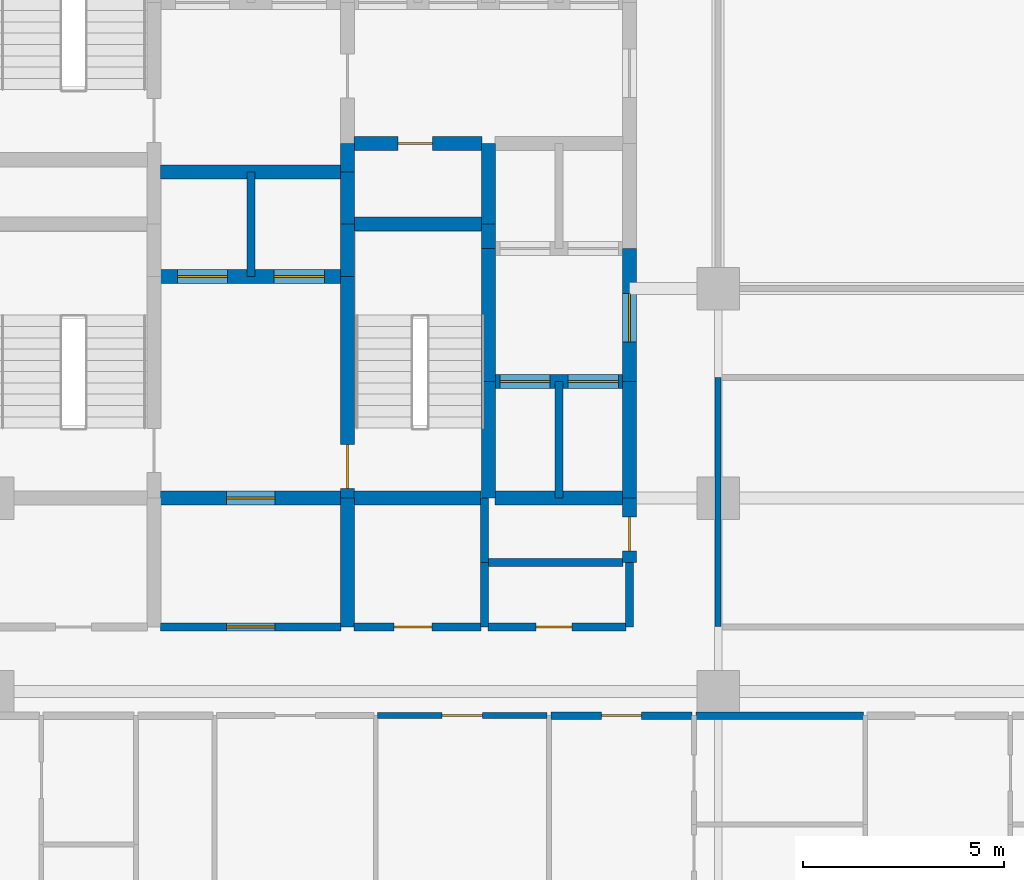
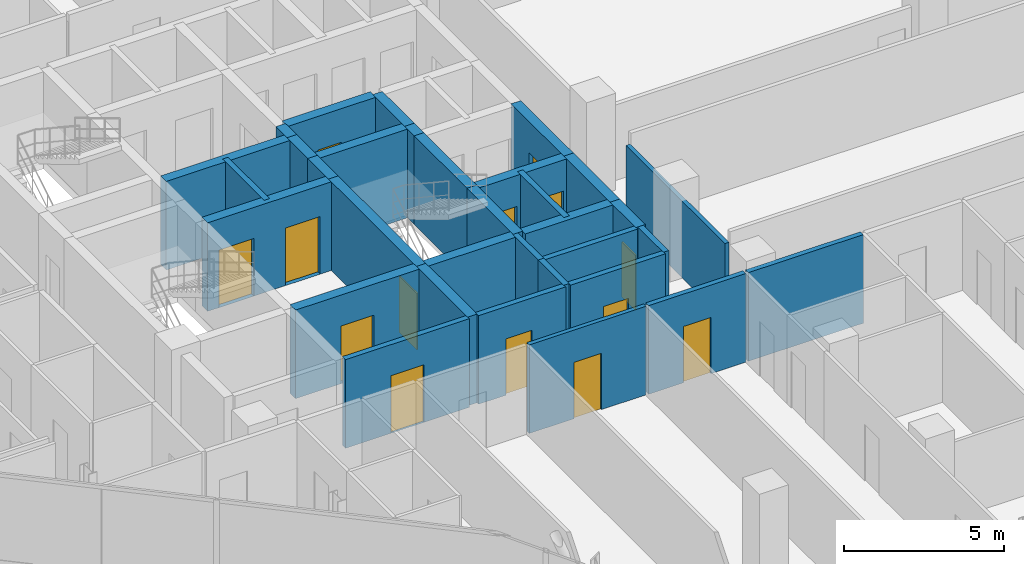
# One storey, part 25 of 30: 33 walls, 14 doors, 14 openings.
"""IFC4 building model written with IfcOpenShell, lengths in metres."""

from ifc_helpers import new_model, si_unit, direction, frame, frame_2d, origin, place, context, subcontext, project, spatial, rectangle, extrude, material, layer, layer_set, type_object, element, fill, save


model = new_model("IFC4")

# Units and contexts
model_context = context("Model", 3, precision=1e-05, world=origin(), true_north=direction((0.0, 1.0)))
body_context = subcontext(model_context, "Body", "Model", "MODEL_VIEW")
ifc_project = project(units=[si_unit("LENGTHUNIT", "METRE"), si_unit("AREAUNIT", "SQUARE_METRE"), si_unit("VOLUMEUNIT", "CUBIC_METRE"), si_unit("PLANEANGLEUNIT", "RADIAN"), si_unit("MASSUNIT", "GRAM", prefix="KILO")], contexts=[model_context])

# Site, building, storey
site_placement = place(None, origin())
site = spatial("IfcSite", under=ifc_project, at=site_placement, CompositionType="ELEMENT")
building_placement = place(site_placement, origin())
building = spatial("IfcBuilding", under=site, at=building_placement, Name="Keshet Zoharim Tower", CompositionType="ELEMENT")
storey_placement = place(building_placement, frame((0.0, 0.0, 113.10009765625)))
storey = spatial("IfcBuildingStorey", under=building, at=storey_placement, Name="L27", CompositionType="ELEMENT", Elevation=113.10009765625)

# Wall
ifc_material_1 = material(Name="Gypsum Plasterboard", Category="gypsum")
ifc_layer_1 = layer(ifc_material_1, 0.14990234375)
ifc_layer_set_1 = layer_set([ifc_layer_1], Name="Gypsum Plasterboard")
wall_type_1 = type_object("IfcWallType", Name="WL-CLIN-150", PredefinedType="STANDARD", material=ifc_layer_set_1)
wall_1_placement = place(storey_placement, frame((33.0, 19.510009765625, 0.0), z_axis=(0.0, 0.0, 1.0), x_axis=(0.0, 1.0, 0.0)))
element("IfcWall", 1, at=wall_1_placement, inside=storey, type_object=wall_type_1, Name="L27 Interior Wall 077", PredefinedType="STANDARD", context=body_context, shape_type="SweptSolid", body=[
    extrude(rectangle(XDim=6.179931640625, YDim=0.14990234375, at=frame_2d((3.08984375, 0.0))), origin(), (0.0, 0.0, 1.0), 2.934814453125),
])

# Wall, opening, door
wall_2_placement = place(storey_placement, frame((24.544921875, 17.300048828125, 0.0), z_axis=(0.0, 0.0, 1.0), x_axis=(1.0, 0.0, 0.0)))
wall_2 = element("IfcWall", 2, at=wall_2_placement, inside=storey, type_object=wall_type_1, Name="L27 Interior Wall 133", PredefinedType="STANDARD", context=body_context, shape_type="SweptSolid", body=[
    extrude(rectangle(XDim=4.2099609375, YDim=0.14990234375, at=frame_2d((2.10498046875, 0.0))), origin(), (0.0, 0.0, 1.0), 3.385009765625),
])
opening_1_placement = place(wall_2_placement, frame((1.60498046875, 0.0, 0.0)))
opening_1 = element("IfcOpeningElement", 3, at=opening_1_placement, cuts=wall_2, Name="Opening D-F310", PredefinedType="OPENING", context=body_context, shape_type="SweptSolid", body=[
    extrude(rectangle(XDim=1.0, YDim=2.14990234375, at=frame_2d((0.5, 1.074951171875))), frame((0.0, 0.0849609375, 0.0), z_axis=(0.0, -1.0, 0.0), x_axis=(1.0, 0.0, 0.0)), (0.0, 0.0, 1.0), 0.169921875),
])
ifc_material_2 = material(Name="Hardwood Timber", Category="wood")
door_type_1 = type_object("IfcDoorType", Name="DR-FD30-100", OperationType="NOTDEFINED", PredefinedType="DOOR", material=ifc_material_2)
door_1_placement = place(opening_1_placement, origin())
door_1 = element("IfcDoor", 4, at=door_1_placement, inside=storey, type_object=door_type_1, Name="L27 Residents Meeting Room Door", OperationType="SINGLE_SWING_RIGHT", OverallHeight=2.14990234375, OverallWidth=1.0, PredefinedType="DOOR", context=body_context, shape_type="SweptSolid", body=[
    extrude(rectangle(XDim=1.0, YDim=2.14990234375, at=frame_2d((0.5, 1.074951171875))), frame((0.0, 0.02490234375, 0.0), z_axis=(0.0, -1.0, 0.0), x_axis=(1.0, 0.0, 0.0)), (0.0, 0.0, 1.0), 0.050048828125),
])
fill(opening_1, door_1)

# Wall
ifc_material_3 = material(Name="Concrete C60/75", Category="concrete")
ifc_layer_2 = layer(ifc_material_3, 0.35009765625)
ifc_layer_set_2 = layer_set([ifc_layer_2], Name="Concrete C60/75")
wall_type_2 = type_object("IfcWallType", Name="WL-CORE-350", PredefinedType="SHEAR", material=ifc_layer_set_2)
wall_3_placement = place(storey_placement, frame((23.800048828125, 19.5, 0.0), z_axis=(0.0, 0.0, 1.0), x_axis=(0.0, 1.0, 0.0)))
element("IfcWall", 5, at=wall_3_placement, inside=storey, type_object=wall_type_2, Name="L27 Core Shear Wall 040", PredefinedType="SHEAR", context=body_context, shape_type="SweptSolid", body=[
    extrude(rectangle(XDim=3.199951171875, YDim=0.35009765625, at=frame_2d((1.60009765625, 0.0))), origin(), (0.0, 0.0, 1.0), 3.385009765625),
])

# Wall, opening, door
wall_4_placement = place(storey_placement, frame((23.800048828125, 22.699951171875, 0.0), z_axis=(0.0, 0.0, 1.0), x_axis=(0.0, 1.0, 0.0)))
wall_4 = element("IfcWall", 6, at=wall_4_placement, inside=storey, type_object=wall_type_2, Name="L27 Core Shear Wall 041", PredefinedType="SHEAR", context=body_context, shape_type="SweptSolid", body=[
    extrude(rectangle(XDim=5.5, YDim=0.35009765625, at=frame_2d((2.75, 0.0))), origin(), (0.0, 0.0, 1.0), 3.385009765625),
])
opening_2_placement = place(wall_4_placement, frame((0.235107421875, 0.0, 0.0)))
opening_2 = element("IfcOpeningElement", 7, at=opening_2_placement, cuts=wall_4, Name="Opening D-F611", PredefinedType="OPENING", context=body_context, shape_type="SweptSolid", body=[
    extrude(rectangle(XDim=1.10009765625, YDim=2.14990234375, at=frame_2d((0.550048828125, 1.074951171875))), frame((0.0, 0.18505859375, 0.0), z_axis=(0.0, -1.0, 0.0), x_axis=(1.0, 0.0, 0.0)), (0.0, 0.0, 1.0), 0.3701171875),
])
door_type_2 = type_object("IfcDoorType", Name="DR-FD60-110", OperationType="NOTDEFINED", PredefinedType="DOOR", material=ifc_material_2)
door_2_placement = place(opening_2_placement, frame((1.10009765625, 0.0, 0.0), z_axis=(0.0, 0.0, 1.0), x_axis=(-1.0, 0.0, 0.0)))
door_2 = element("IfcDoor", 8, at=door_2_placement, inside=storey, type_object=door_type_2, Name="L27 Exit Stair ST-03 Fire Door", OperationType="SINGLE_SWING_LEFT", OverallHeight=2.14990234375, OverallWidth=1.10009765625, PredefinedType="DOOR", context=body_context, shape_type="SweptSolid", body=[
    extrude(rectangle(XDim=1.10009765625, YDim=2.14990234375, at=frame_2d((0.550048828125, 1.074951171875))), frame((0.0, 0.02490234375, 0.0), z_axis=(0.0, -1.0, 0.0), x_axis=(1.0, 0.0, 0.0)), (0.0, 0.0, 1.0), 0.050048828125),
])
fill(opening_2, door_2)

# Walls
for number, where, z_axis, x_axis, name in (
    (9, (23.800048828125, 28.199951171875, 0.0), (0.0, 0.0, 1.0), (0.0, 1.0, 0.0), "L27 Core Shear Wall 042"),
    (10, (23.800048828125, 29.5, 0.0), (0.0, 0.0, 1.0), (0.0, 1.0, 0.0), "L27 Core Shear Wall 043"),
):
    element("IfcWall", number, at=place(storey_placement, frame(where, z_axis=z_axis, x_axis=x_axis)), inside=storey, type_object=wall_type_2, Name=name, PredefinedType="SHEAR", context=body_context, shape_type="SweptSolid", body=[
        extrude(rectangle(XDim=1.300048828125, YDim=0.35009765625, at=frame_2d((0.64990234375, 0.0))), origin(), (0.0, 0.0, 1.0), 3.385009765625),
    ])
wall_5_placement = place(storey_placement, frame((23.800048828125, 30.800048828125, 0.0), z_axis=(0.0, 0.0, 1.0), x_axis=(0.0, 1.0, 0.0)))
element("IfcWall", 11, at=wall_5_placement, inside=storey, type_object=wall_type_2, Name="L27 Core Shear Wall 044", PredefinedType="SHEAR", context=body_context, shape_type="SweptSolid", body=[
    extrude(rectangle(XDim=0.699951171875, YDim=0.35009765625, at=frame_2d((0.35009765625, 0.0))), origin(), (0.0, 0.0, 1.0), 3.385009765625),
])
wall_6_placement = place(storey_placement, frame((27.300048828125, 22.699951171875, 0.0), z_axis=(0.0, 0.0, 1.0), x_axis=(0.0, 1.0, 0.0)))
element("IfcWall", 12, at=wall_6_placement, inside=storey, type_object=wall_type_2, Name="L27 Core Shear Wall 054", PredefinedType="SHEAR", context=body_context, shape_type="SweptSolid", body=[
    extrude(rectangle(XDim=2.900146484375, YDim=0.35009765625, at=frame_2d((1.4501953125, 0.0))), origin(), (0.0, 0.0, 1.0), 3.385009765625),
])
wall_7_placement = place(storey_placement, frame((27.300048828125, 25.60009765625, 0.0), z_axis=(0.0, 0.0, 1.0), x_axis=(0.0, 1.0, 0.0)))
element("IfcWall", 13, at=wall_7_placement, inside=storey, type_object=wall_type_2, Name="L27 Core Shear Wall 055", PredefinedType="SHEAR", context=body_context, shape_type="SweptSolid", body=[
    extrude(rectangle(XDim=3.2998046875, YDim=0.35009765625, at=frame_2d((1.64990234375, 0.0))), origin(), (0.0, 0.0, 1.0), 3.385009765625),
])
wall_8_placement = place(storey_placement, frame((27.300048828125, 28.89990234375, 0.0), z_axis=(0.0, 0.0, 1.0), x_axis=(0.0, 1.0, 0.0)))
element("IfcWall", 14, at=wall_8_placement, inside=storey, type_object=wall_type_2, Name="L27 Core Shear Wall 056", PredefinedType="SHEAR", context=body_context, shape_type="SweptSolid", body=[
    extrude(rectangle(XDim=0.60009765625, YDim=0.35009765625, at=frame_2d((0.300048828125, 0.0))), origin(), (0.0, 0.0, 1.0), 3.385009765625),
])
wall_9_placement = place(storey_placement, frame((27.300048828125, 29.5, 0.0), z_axis=(0.0, 0.0, 1.0), x_axis=(0.0, 1.0, 0.0)))
element("IfcWall", 15, at=wall_9_placement, inside=storey, type_object=wall_type_2, Name="L27 Core Shear Wall 057", PredefinedType="SHEAR", context=body_context, shape_type="SweptSolid", body=[
    extrude(rectangle(XDim=2.0, YDim=0.35009765625, at=frame_2d((1.0, 0.0))), origin(), (0.0, 0.0, 1.0), 3.385009765625),
])

# Wall, opening, door
wall_10_placement = place(storey_placement, frame((30.800048828125, 21.10009765625, 0.0), z_axis=(0.0, 0.0, 1.0), x_axis=(0.0, 1.0, 0.0)))
wall_10 = element("IfcWall", 16, at=wall_10_placement, inside=storey, type_object=wall_type_2, Name="L27 Core Shear Wall 065", PredefinedType="SHEAR", context=body_context, shape_type="SweptSolid", body=[
    extrude(rectangle(XDim=1.599853515625, YDim=0.35009765625, at=frame_2d((0.7998046875, 0.0))), origin(), (0.0, 0.0, 1.0), 3.385009765625),
])
opening_3_placement = place(wall_10_placement, frame((0.287109375, 0.0, 0.0)))
opening_3 = element("IfcOpeningElement", 17, at=opening_3_placement, cuts=wall_10, Name="Opening D-RS85", PredefinedType="OPENING", context=body_context, shape_type="SweptSolid", body=[
    extrude(rectangle(XDim=0.85009765625, YDim=2.10009765625, at=frame_2d((0.425048828125, 1.050048828125))), frame((0.0, 0.18505859375, 0.0), z_axis=(0.0, -1.0, 0.0), x_axis=(1.0, 0.0, 0.0)), (0.0, 0.0, 1.0), 0.3701171875),
])
door_type_3 = type_object("IfcDoorType", Name="DR-RIS-085", OperationType="NOTDEFINED", PredefinedType="DOOR", material=ifc_material_2)
door_3_placement = place(opening_3_placement, origin())
door_3 = element("IfcDoor", 18, at=door_3_placement, inside=storey, type_object=door_type_3, Name="L27 Linen Store Door", OperationType="SINGLE_SWING_LEFT", OverallHeight=2.10009765625, OverallWidth=0.85009765625, PredefinedType="DOOR", context=body_context, shape_type="SweptSolid", body=[
    extrude(rectangle(XDim=0.85009765625, YDim=2.10009765625, at=frame_2d((0.425048828125, 1.050048828125))), frame((0.0, 0.02490234375, 0.0), z_axis=(0.0, -1.0, 0.0), x_axis=(1.0, 0.0, 0.0)), (0.0, 0.0, 1.0), 0.050048828125),
])
fill(opening_3, door_3)

# Wall
wall_11_placement = place(storey_placement, frame((30.800048828125, 22.699951171875, 0.0), z_axis=(0.0, 0.0, 1.0), x_axis=(0.0, 1.0, 0.0)))
element("IfcWall", 19, at=wall_11_placement, inside=storey, type_object=wall_type_2, Name="L27 Core Shear Wall 066", PredefinedType="SHEAR", context=body_context, shape_type="SweptSolid", body=[
    extrude(rectangle(XDim=2.900146484375, YDim=0.35009765625, at=frame_2d((1.4501953125, 0.0))), origin(), (0.0, 0.0, 1.0), 3.385009765625),
])

# Wall, opening, door
wall_12_placement = place(storey_placement, frame((30.800048828125, 25.60009765625, 0.0), z_axis=(0.0, 0.0, 1.0), x_axis=(0.0, 1.0, 0.0)))
wall_12 = element("IfcWall", 20, at=wall_12_placement, inside=storey, type_object=wall_type_2, Name="L27 Core Shear Wall 067", PredefinedType="SHEAR", context=body_context, shape_type="SweptSolid", body=[
    extrude(rectangle(XDim=3.2998046875, YDim=0.35009765625, at=frame_2d((1.64990234375, 0.0))), origin(), (0.0, 0.0, 1.0), 3.385009765625),
])
opening_4_placement = place(wall_12_placement, frame((0.97802734375, 0.0, 0.0)))
opening_4 = element("IfcOpeningElement", 21, at=opening_4_placement, cuts=wall_12, Name="Opening D-F612", PredefinedType="OPENING", context=body_context, shape_type="SweptSolid", body=[
    extrude(rectangle(XDim=1.199951171875, YDim=2.199951171875, at=frame_2d((0.60009765625, 1.10009765625))), frame((0.0, 0.18505859375, 0.0), z_axis=(0.0, -1.0, 0.0), x_axis=(1.0, 0.0, 0.0)), (0.0, 0.0, 1.0), 0.3701171875),
])
door_type_4 = type_object("IfcDoorType", Name="DR-FD60-120", OperationType="NOTDEFINED", PredefinedType="DOOR", material=ifc_material_2)
door_4_placement = place(opening_4_placement, origin())
door_4 = element("IfcDoor", 22, at=door_4_placement, inside=storey, type_object=door_type_4, Name="L27 East Lift Lobby Fire Door", OperationType="SINGLE_SWING_RIGHT", OverallHeight=2.199951171875, OverallWidth=1.199951171875, PredefinedType="DOOR", context=body_context, shape_type="SweptSolid", body=[
    extrude(rectangle(XDim=1.199951171875, YDim=2.199951171875, at=frame_2d((0.60009765625, 1.10009765625))), frame((0.0, 0.02490234375, 0.0), z_axis=(0.0, -1.0, 0.0), x_axis=(1.0, 0.0, 0.0)), (0.0, 0.0, 1.0), 0.050048828125),
])
fill(opening_4, door_4)

wall_13_placement = place(storey_placement, frame((19.159912109375, 22.699951171875, 0.0), z_axis=(0.0, 0.0, 1.0), x_axis=(1.0, 0.0, 0.0)))
wall_13 = element("IfcWall", 23, at=wall_13_placement, inside=storey, type_object=wall_type_2, Name="L27 Core Shear Wall 153", PredefinedType="SHEAR", context=body_context, shape_type="SweptSolid", body=[
    extrude(rectangle(XDim=4.47998046875, YDim=0.35009765625, at=frame_2d((2.239990234375, 0.0))), origin(), (0.0, 0.0, 1.0), 3.385009765625),
])
opening_5_placement = place(wall_13_placement, frame((1.639892578125, 0.0, 0.0)))
opening_5 = element("IfcOpeningElement", 24, at=opening_5_placement, cuts=wall_13, Name="Opening D-F612", PredefinedType="OPENING", context=body_context, shape_type="SweptSolid", body=[
    extrude(rectangle(XDim=1.199951171875, YDim=2.199951171875, at=frame_2d((0.60009765625, 1.10009765625))), frame((0.0, 0.18505859375, 0.0), z_axis=(0.0, -1.0, 0.0), x_axis=(1.0, 0.0, 0.0)), (0.0, 0.0, 1.0), 0.3701171875),
])
door_5_placement = place(opening_5_placement, origin())
door_5 = element("IfcDoor", 25, at=door_5_placement, inside=storey, type_object=door_type_4, Name="L27 South Core Lobby Fire Door", OperationType="SINGLE_SWING_RIGHT", OverallHeight=2.199951171875, OverallWidth=1.199951171875, PredefinedType="DOOR", context=body_context, shape_type="SweptSolid", body=[
    extrude(rectangle(XDim=1.199951171875, YDim=2.199951171875, at=frame_2d((0.60009765625, 1.10009765625))), frame((0.0, 0.02490234375, 0.0), z_axis=(0.0, -1.0, 0.0), x_axis=(1.0, 0.0, 0.0)), (0.0, 0.0, 1.0), 0.050048828125),
])
fill(opening_5, door_5)

# Walls
wall_14_placement = place(storey_placement, frame((23.9599609375, 22.699951171875, 0.0), z_axis=(0.0, 0.0, 1.0), x_axis=(1.0, 0.0, 0.0)))
element("IfcWall", 26, at=wall_14_placement, inside=storey, type_object=wall_type_2, Name="L27 Core Shear Wall 154", PredefinedType="SHEAR", context=body_context, shape_type="SweptSolid", body=[
    extrude(rectangle(XDim=3.155029296875, YDim=0.35009765625, at=frame_2d((1.57763671875, 0.0))), origin(), (0.0, 0.0, 1.0), 3.385009765625),
])
wall_15_placement = place(storey_placement, frame((27.4599609375, 22.699951171875, 0.0), z_axis=(0.0, 0.0, 1.0), x_axis=(1.0, 0.0, 0.0)))
element("IfcWall", 27, at=wall_15_placement, inside=storey, type_object=wall_type_2, Name="L27 Core Shear Wall 155", PredefinedType="SHEAR", context=body_context, shape_type="SweptSolid", body=[
    extrude(rectangle(XDim=3.179931640625, YDim=0.35009765625, at=frame_2d((1.58984375, 0.0))), origin(), (0.0, 0.0, 1.0), 3.385009765625),
])

# Wall, openings, doors
wall_16_placement = place(storey_placement, frame((27.4599609375, 25.60009765625, 0.0), z_axis=(0.0, 0.0, 1.0), x_axis=(1.0, 0.0, 0.0)))
wall_16 = element("IfcWall", 28, at=wall_16_placement, inside=storey, type_object=wall_type_2, Name="L27 Core Shear Wall 158", PredefinedType="SHEAR", context=body_context, shape_type="SweptSolid", body=[
    extrude(rectangle(XDim=3.179931640625, YDim=0.35009765625, at=frame_2d((1.58984375, 0.0))), origin(), (0.0, 0.0, 1.0), 3.385009765625),
])
opening_6_placement = place(wall_16_placement, frame((0.1201171875, 0.0, 0.0)))
opening_6 = element("IfcOpeningElement", 29, at=opening_6_placement, cuts=wall_16, Name="Opening LD-01", PredefinedType="OPENING", context=body_context, shape_type="SweptSolid", body=[
    extrude(rectangle(XDim=1.25, YDim=2.199951171875, at=frame_2d((0.625, 1.10009765625))), frame((0.0, 0.18505859375, 0.0), z_axis=(0.0, -1.0, 0.0), x_axis=(1.0, 0.0, 0.0)), (0.0, 0.0, 1.0), 0.3701171875),
])
opening_7_placement = place(wall_16_placement, frame((1.81005859375, 0.0, 0.0)))
opening_7 = element("IfcOpeningElement", 30, at=opening_7_placement, cuts=wall_16, Name="Opening LD-01", PredefinedType="OPENING", context=body_context, shape_type="SweptSolid", body=[
    extrude(rectangle(XDim=1.25, YDim=2.199951171875, at=frame_2d((0.625, 1.10009765625))), frame((0.0, 0.18505859375, 0.0), z_axis=(0.0, -1.0, 0.0), x_axis=(1.0, 0.0, 0.0)), (0.0, 0.0, 1.0), 0.3701171875),
])
ifc_material_4 = material(Name="Steel S355", Category="steel")
door_type_5 = type_object("IfcDoorType", Name="DR-LD01-125", OperationType="DOUBLE_DOOR_SLIDING", PredefinedType="DOOR", material=ifc_material_4)
door_6_placement = place(opening_6_placement, origin())
door_6 = element("IfcDoor", 31, at=door_6_placement, inside=storey, type_object=door_type_5, Name="L27 Passenger Lift Landing Door LF-07", OperationType="DOUBLE_DOOR_SLIDING", OverallHeight=2.199951171875, OverallWidth=1.25, PredefinedType="DOOR", context=body_context, shape_type="SweptSolid", body=[
    extrude(rectangle(XDim=1.25, YDim=2.199951171875, at=frame_2d((0.625, 1.10009765625))), frame((0.0, 0.02490234375, 0.0), z_axis=(0.0, -1.0, 0.0), x_axis=(1.0, 0.0, 0.0)), (0.0, 0.0, 1.0), 0.050048828125),
])
fill(opening_6, door_6)
door_7_placement = place(opening_7_placement, origin())
door_7 = element("IfcDoor", 32, at=door_7_placement, inside=storey, type_object=door_type_5, Name="L27 Passenger Lift Landing Door LF-08", OperationType="DOUBLE_DOOR_SLIDING", OverallHeight=2.199951171875, OverallWidth=1.25, PredefinedType="DOOR", context=body_context, shape_type="SweptSolid", body=[
    extrude(rectangle(XDim=1.25, YDim=2.199951171875, at=frame_2d((0.625, 1.10009765625))), frame((0.0, 0.02490234375, 0.0), z_axis=(0.0, -1.0, 0.0), x_axis=(1.0, 0.0, 0.0)), (0.0, 0.0, 1.0), 0.050048828125),
])
fill(opening_7, door_7)

wall_17_placement = place(storey_placement, frame((19.159912109375, 28.199951171875, 0.0), z_axis=(0.0, 0.0, 1.0), x_axis=(1.0, 0.0, 0.0)))
wall_17 = element("IfcWall", 33, at=wall_17_placement, inside=storey, type_object=wall_type_2, Name="L27 Core Shear Wall 165", PredefinedType="SHEAR", context=body_context, shape_type="SweptSolid", body=[
    extrude(rectangle(XDim=4.47998046875, YDim=0.35009765625, at=frame_2d((2.239990234375, 0.0))), origin(), (0.0, 0.0, 1.0), 3.385009765625),
])
opening_8_placement = place(wall_17_placement, frame((0.4150390625, 0.0, 0.0)))
opening_8 = element("IfcOpeningElement", 34, at=opening_8_placement, cuts=wall_17, Name="Opening LD-01", PredefinedType="OPENING", context=body_context, shape_type="SweptSolid", body=[
    extrude(rectangle(XDim=1.25, YDim=2.199951171875, at=frame_2d((0.625, 1.10009765625))), frame((0.0, 0.18505859375, 0.0), z_axis=(0.0, -1.0, 0.0), x_axis=(1.0, 0.0, 0.0)), (0.0, 0.0, 1.0), 0.3701171875),
])
opening_9_placement = place(wall_17_placement, frame((2.81494140625, 0.0, 0.0)))
opening_9 = element("IfcOpeningElement", 35, at=opening_9_placement, cuts=wall_17, Name="Opening LD-01", PredefinedType="OPENING", context=body_context, shape_type="SweptSolid", body=[
    extrude(rectangle(XDim=1.25, YDim=2.199951171875, at=frame_2d((0.625, 1.10009765625))), frame((0.0, 0.18505859375, 0.0), z_axis=(0.0, -1.0, 0.0), x_axis=(1.0, 0.0, 0.0)), (0.0, 0.0, 1.0), 0.3701171875),
])
door_8_placement = place(opening_8_placement, origin())
door_8 = element("IfcDoor", 36, at=door_8_placement, inside=storey, type_object=door_type_5, Name="L27 Passenger Lift Landing Door LF-09", OperationType="DOUBLE_DOOR_SLIDING", OverallHeight=2.199951171875, OverallWidth=1.25, PredefinedType="DOOR", context=body_context, shape_type="SweptSolid", body=[
    extrude(rectangle(XDim=1.25, YDim=2.199951171875, at=frame_2d((0.625, 1.10009765625))), frame((0.0, 0.02490234375, 0.0), z_axis=(0.0, -1.0, 0.0), x_axis=(1.0, 0.0, 0.0)), (0.0, 0.0, 1.0), 0.050048828125),
])
fill(opening_8, door_8)
door_9_placement = place(opening_9_placement, origin())
door_9 = element("IfcDoor", 37, at=door_9_placement, inside=storey, type_object=door_type_5, Name="L27 Passenger Lift Landing Door LF-10", OperationType="DOUBLE_DOOR_SLIDING", OverallHeight=2.199951171875, OverallWidth=1.25, PredefinedType="DOOR", context=body_context, shape_type="SweptSolid", body=[
    extrude(rectangle(XDim=1.25, YDim=2.199951171875, at=frame_2d((0.625, 1.10009765625))), frame((0.0, 0.02490234375, 0.0), z_axis=(0.0, -1.0, 0.0), x_axis=(1.0, 0.0, 0.0)), (0.0, 0.0, 1.0), 0.050048828125),
])
fill(opening_9, door_9)

# Walls
wall_18_placement = place(storey_placement, frame((23.9599609375, 29.5, 0.0), z_axis=(0.0, 0.0, 1.0), x_axis=(1.0, 0.0, 0.0)))
element("IfcWall", 38, at=wall_18_placement, inside=storey, type_object=wall_type_2, Name="L27 Core Shear Wall 168", PredefinedType="SHEAR", context=body_context, shape_type="SweptSolid", body=[
    extrude(rectangle(XDim=3.179931640625, YDim=0.35009765625, at=frame_2d((1.58984375, 0.0))), origin(), (0.0, 0.0, 1.0), 3.385009765625),
])
wall_19_placement = place(storey_placement, frame((19.159912109375, 30.800048828125, 0.0), z_axis=(0.0, 0.0, 1.0), x_axis=(1.0, 0.0, 0.0)))
element("IfcWall", 39, at=wall_19_placement, inside=storey, type_object=wall_type_2, Name="L27 Core Shear Wall 171", PredefinedType="SHEAR", context=body_context, shape_type="SweptSolid", body=[
    extrude(rectangle(XDim=4.47998046875, YDim=0.35009765625, at=frame_2d((2.239990234375, 0.0))), origin(), (0.0, 0.0, 1.0), 3.385009765625),
])

# Wall, opening, door
wall_20_placement = place(storey_placement, frame((23.9599609375, 31.5, 0.0), z_axis=(0.0, 0.0, 1.0), x_axis=(1.0, 0.0, 0.0)))
wall_20 = element("IfcWall", 40, at=wall_20_placement, inside=storey, type_object=wall_type_2, Name="L27 Core Shear Wall 173", PredefinedType="SHEAR", context=body_context, shape_type="SweptSolid", body=[
    extrude(rectangle(XDim=3.179931640625, YDim=0.35009765625, at=frame_2d((1.58984375, 0.0))), origin(), (0.0, 0.0, 1.0), 3.385009765625),
])
opening_10_placement = place(wall_20_placement, frame((1.093994140625, 0.0, 0.0)))
opening_10 = element("IfcOpeningElement", 41, at=opening_10_placement, cuts=wall_20, Name="Opening D-RS85", PredefinedType="OPENING", context=body_context, shape_type="SweptSolid", body=[
    extrude(rectangle(XDim=0.85009765625, YDim=2.10009765625, at=frame_2d((0.425048828125, 1.050048828125))), frame((0.0, 0.18505859375, 0.0), z_axis=(0.0, -1.0, 0.0), x_axis=(1.0, 0.0, 0.0)), (0.0, 0.0, 1.0), 0.3701171875),
])
door_10_placement = place(opening_10_placement, origin())
door_10 = element("IfcDoor", 42, at=door_10_placement, inside=storey, type_object=door_type_3, Name="L27 Telecom Riser Access Cupboard Door", OperationType="SINGLE_SWING_RIGHT", OverallHeight=2.10009765625, OverallWidth=0.85009765625, PredefinedType="DOOR", context=body_context, shape_type="SweptSolid", body=[
    extrude(rectangle(XDim=0.85009765625, YDim=2.10009765625, at=frame_2d((0.425048828125, 1.050048828125))), frame((0.0, 0.02490234375, 0.0), z_axis=(0.0, -1.0, 0.0), x_axis=(1.0, 0.0, 0.0)), (0.0, 0.0, 1.0), 0.050048828125),
])
fill(opening_10, door_10)

ifc_layer_3 = layer(ifc_material_1, 0.179931640625)
ifc_layer_set_3 = layer_set([ifc_layer_3], Name="Gypsum Plasterboard")
wall_type_3 = type_object("IfcWallType", Name="WL-CORR-180", PredefinedType="STANDARD", material=ifc_layer_set_3)
wall_21_placement = place(storey_placement, frame((28.844970703125, 17.300048828125, 0.0), z_axis=(0.0, 0.0, 1.0), x_axis=(1.0, 0.0, 0.0)))
wall_21 = element("IfcWall", 43, at=wall_21_placement, inside=storey, type_object=wall_type_3, Name="L27 Interior Wall 134", PredefinedType="STANDARD", context=body_context, shape_type="SweptSolid", body=[
    extrude(rectangle(XDim=3.510009765625, YDim=0.179931640625, at=frame_2d((1.7548828125, 0.0))), origin(), (0.0, 0.0, 1.0), 3.385009765625),
])
opening_11_placement = place(wall_21_placement, frame((1.2548828125, 0.0, 0.0)))
opening_11 = element("IfcOpeningElement", 44, at=opening_11_placement, cuts=wall_21, Name="Opening D-F310", PredefinedType="OPENING", context=body_context, shape_type="SweptSolid", body=[
    extrude(rectangle(XDim=1.0, YDim=2.14990234375, at=frame_2d((0.5, 1.074951171875))), frame((0.0, 0.10009765625, 0.0), z_axis=(0.0, -1.0, 0.0), x_axis=(1.0, 0.0, 0.0)), (0.0, 0.0, 1.0), 0.199951171875),
])
door_11_placement = place(opening_11_placement, origin())
door_11 = element("IfcDoor", 45, at=door_11_placement, inside=storey, type_object=door_type_1, Name="Apartment 2702 Entrance Door", OperationType="SINGLE_SWING_LEFT", OverallHeight=2.14990234375, OverallWidth=1.0, PredefinedType="DOOR", context=body_context, shape_type="SweptSolid", body=[
    extrude(rectangle(XDim=1.0, YDim=2.14990234375, at=frame_2d((0.5, 1.074951171875))), frame((0.0, 0.02490234375, 0.0), z_axis=(0.0, -1.0, 0.0), x_axis=(1.0, 0.0, 0.0)), (0.0, 0.0, 1.0), 0.050048828125),
])
fill(opening_11, door_11)

# Walls
wall_22_placement = place(storey_placement, frame((32.445068359375, 17.300048828125, 0.0), z_axis=(0.0, 0.0, 1.0), x_axis=(1.0, 0.0, 0.0)))
element("IfcWall", 46, at=wall_22_placement, inside=storey, type_object=wall_type_3, Name="L27 Interior Wall 135", PredefinedType="STANDARD", context=body_context, shape_type="SweptSolid", body=[
    extrude(rectangle(XDim=4.159912109375, YDim=0.179931640625, at=frame_2d((2.080078125, 0.0))), origin(), (0.0, 0.0, 1.0), 3.385009765625),
])
ifc_material_5 = material(Name="Concrete C50/60", Category="concrete")
ifc_layer_4 = layer(ifc_material_5, 0.199951171875)
ifc_layer_set_4 = layer_set([ifc_layer_4], Name="Concrete C50/60")
wall_type_4 = type_object("IfcWallType", Name="WL-FIRE-200", PredefinedType="STANDARD", material=ifc_layer_set_4)
wall_23_placement = place(storey_placement, frame((21.39990234375, 28.199951171875, 0.0), z_axis=(0.0, 0.0, 1.0), x_axis=(0.0, 1.0, 0.0)))
element("IfcWall", 47, at=wall_23_placement, inside=storey, type_object=wall_type_4, Name="L27 Interior Wall 037", PredefinedType="STANDARD", context=body_context, shape_type="SweptSolid", body=[
    extrude(rectangle(XDim=2.60009765625, YDim=0.199951171875, at=frame_2d((1.300048828125, 0.0))), origin(), (0.0, 0.0, 1.0), 3.385009765625),
])
wall_24_placement = place(storey_placement, frame((27.199951171875, 19.5, 0.0), z_axis=(0.0, 0.0, 1.0), x_axis=(0.0, 1.0, 0.0)))
element("IfcWall", 48, at=wall_24_placement, inside=storey, type_object=wall_type_4, Name="L27 Interior Wall 052", PredefinedType="STANDARD", context=body_context, shape_type="SweptSolid", body=[
    extrude(rectangle(XDim=1.60009765625, YDim=0.199951171875, at=frame_2d((0.800048828125, 0.0))), origin(), (0.0, 0.0, 1.0), 3.385009765625),
])
wall_25_placement = place(storey_placement, frame((27.199951171875, 21.10009765625, 0.0), z_axis=(0.0, 0.0, 1.0), x_axis=(0.0, 1.0, 0.0)))
element("IfcWall", 49, at=wall_25_placement, inside=storey, type_object=wall_type_4, Name="L27 Interior Wall 053", PredefinedType="STANDARD", context=body_context, shape_type="SweptSolid", body=[
    extrude(rectangle(XDim=1.599853515625, YDim=0.199951171875, at=frame_2d((0.7998046875, 0.0))), origin(), (0.0, 0.0, 1.0), 3.385009765625),
])
wall_26_placement = place(storey_placement, frame((29.050048828125, 22.699951171875, 0.0), z_axis=(0.0, 0.0, 1.0), x_axis=(0.0, 1.0, 0.0)))
element("IfcWall", 50, at=wall_26_placement, inside=storey, type_object=wall_type_4, Name="L27 Interior Wall 061", PredefinedType="STANDARD", context=body_context, shape_type="SweptSolid", body=[
    extrude(rectangle(XDim=2.900146484375, YDim=0.199951171875, at=frame_2d((1.4501953125, 0.0))), origin(), (0.0, 0.0, 1.0), 3.385009765625),
])
wall_27_placement = place(storey_placement, frame((30.800048828125, 19.5, 0.0), z_axis=(0.0, 0.0, 1.0), x_axis=(0.0, 1.0, 0.0)))
element("IfcWall", 51, at=wall_27_placement, inside=storey, type_object=wall_type_4, Name="L27 Interior Wall 064", PredefinedType="STANDARD", context=body_context, shape_type="SweptSolid", body=[
    extrude(rectangle(XDim=1.60009765625, YDim=0.199951171875, at=frame_2d((0.800048828125, 0.0))), origin(), (0.0, 0.0, 1.0), 3.385009765625),
])

# Wall, opening, door
wall_28_placement = place(storey_placement, frame((19.159912109375, 19.5, 0.0), z_axis=(0.0, 0.0, 1.0), x_axis=(1.0, 0.0, 0.0)))
wall_28 = element("IfcWall", 52, at=wall_28_placement, inside=storey, type_object=wall_type_4, Name="L27 Interior Wall 144", PredefinedType="STANDARD", context=body_context, shape_type="SweptSolid", body=[
    extrude(rectangle(XDim=4.47998046875, YDim=0.199951171875, at=frame_2d((2.239990234375, 0.0))), origin(), (0.0, 0.0, 1.0), 3.385009765625),
])
opening_12_placement = place(wall_28_placement, frame((1.639892578125, 0.0, 0.0)))
opening_12 = element("IfcOpeningElement", 53, at=opening_12_placement, cuts=wall_28, Name="Opening D-F612", PredefinedType="OPENING", context=body_context, shape_type="SweptSolid", body=[
    extrude(rectangle(XDim=1.199951171875, YDim=2.199951171875, at=frame_2d((0.60009765625, 1.10009765625))), frame((0.0, 0.10986328125, 0.0), z_axis=(0.0, -1.0, 0.0), x_axis=(1.0, 0.0, 0.0)), (0.0, 0.0, 1.0), 0.219970703125),
])
door_12_placement = place(opening_12_placement, origin())
door_12 = element("IfcDoor", 54, at=door_12_placement, inside=storey, type_object=door_type_4, Name="L27 South Vestibule Corridor Door", OperationType="SINGLE_SWING_LEFT", OverallHeight=2.199951171875, OverallWidth=1.199951171875, PredefinedType="DOOR", context=body_context, shape_type="SweptSolid", body=[
    extrude(rectangle(XDim=1.199951171875, YDim=2.199951171875, at=frame_2d((0.60009765625, 1.10009765625))), frame((0.0, 0.02490234375, 0.0), z_axis=(0.0, -1.0, 0.0), x_axis=(1.0, 0.0, 0.0)), (0.0, 0.0, 1.0), 0.050048828125),
])
fill(opening_12, door_12)

wall_29_placement = place(storey_placement, frame((23.9599609375, 19.5, 0.0), z_axis=(0.0, 0.0, 1.0), x_axis=(1.0, 0.0, 0.0)))
wall_29 = element("IfcWall", 55, at=wall_29_placement, inside=storey, type_object=wall_type_4, Name="L27 Interior Wall 145", PredefinedType="STANDARD", context=body_context, shape_type="SweptSolid", body=[
    extrude(rectangle(XDim=3.155029296875, YDim=0.199951171875, at=frame_2d((1.57763671875, 0.0))), origin(), (0.0, 0.0, 1.0), 3.385009765625),
])
opening_13_placement = place(wall_29_placement, frame((0.990966796875, 0.0, 0.0)))
opening_13 = element("IfcOpeningElement", 56, at=opening_13_placement, cuts=wall_29, Name="Opening D-F695", PredefinedType="OPENING", context=body_context, shape_type="SweptSolid", body=[
    extrude(rectangle(XDim=0.949951171875, YDim=2.14990234375, at=frame_2d((0.47509765625, 1.074951171875))), frame((0.0, 0.10986328125, 0.0), z_axis=(0.0, -1.0, 0.0), x_axis=(1.0, 0.0, 0.0)), (0.0, 0.0, 1.0), 0.219970703125),
])
door_type_6 = type_object("IfcDoorType", Name="DR-FD60-095", OperationType="NOTDEFINED", PredefinedType="DOOR", material=ifc_material_2)
door_13_placement = place(opening_13_placement, origin())
door_13 = element("IfcDoor", 57, at=door_13_placement, inside=storey, type_object=door_type_6, Name="L27 Utility Room Door", OperationType="SINGLE_SWING_RIGHT", OverallHeight=2.14990234375, OverallWidth=0.949951171875, PredefinedType="DOOR", context=body_context, shape_type="SweptSolid", body=[
    extrude(rectangle(XDim=0.949951171875, YDim=2.14990234375, at=frame_2d((0.47509765625, 1.074951171875))), frame((0.0, 0.02490234375, 0.0), z_axis=(0.0, -1.0, 0.0), x_axis=(1.0, 0.0, 0.0)), (0.0, 0.0, 1.0), 0.050048828125),
])
fill(opening_13, door_13)

wall_30_placement = place(storey_placement, frame((27.284912109375, 19.5, 0.0), z_axis=(0.0, 0.0, 1.0), x_axis=(1.0, 0.0, 0.0)))
wall_30 = element("IfcWall", 58, at=wall_30_placement, inside=storey, type_object=wall_type_4, Name="L27 Interior Wall 146", PredefinedType="STANDARD", context=body_context, shape_type="SweptSolid", body=[
    extrude(rectangle(XDim=3.43017578125, YDim=0.199951171875, at=frame_2d((1.715087890625, 0.0))), origin(), (0.0, 0.0, 1.0), 3.385009765625),
])
opening_14_placement = place(wall_30_placement, frame((1.19189453125, 0.0, 0.0)))
opening_14 = element("IfcOpeningElement", 59, at=opening_14_placement, cuts=wall_30, Name="Opening D-F690", PredefinedType="OPENING", context=body_context, shape_type="SweptSolid", body=[
    extrude(rectangle(XDim=0.89990234375, YDim=2.14990234375, at=frame_2d((0.449951171875, 1.074951171875))), frame((0.0, 0.10986328125, 0.0), z_axis=(0.0, -1.0, 0.0), x_axis=(1.0, 0.0, 0.0)), (0.0, 0.0, 1.0), 0.219970703125),
])
door_type_7 = type_object("IfcDoorType", Name="DR-FD60-090", OperationType="NOTDEFINED", PredefinedType="DOOR", material=ifc_material_2)
door_14_placement = place(opening_14_placement, origin())
door_14 = element("IfcDoor", 60, at=door_14_placement, inside=storey, type_object=door_type_7, Name="L27 Valve Room Door", OperationType="SINGLE_SWING_LEFT", OverallHeight=2.14990234375, OverallWidth=0.89990234375, PredefinedType="DOOR", context=body_context, shape_type="SweptSolid", body=[
    extrude(rectangle(XDim=0.89990234375, YDim=2.14990234375, at=frame_2d((0.449951171875, 1.074951171875))), frame((0.0, 0.02490234375, 0.0), z_axis=(0.0, -1.0, 0.0), x_axis=(1.0, 0.0, 0.0)), (0.0, 0.0, 1.0), 0.050048828125),
])
fill(opening_14, door_14)

# Wall
wall_31_placement = place(storey_placement, frame((27.284912109375, 21.10009765625, 0.0), z_axis=(0.0, 0.0, 1.0), x_axis=(1.0, 0.0, 0.0)))
element("IfcWall", 61, at=wall_31_placement, inside=storey, type_object=wall_type_4, Name="L27 Interior Wall 151", PredefinedType="STANDARD", context=body_context, shape_type="SweptSolid", body=[
    extrude(rectangle(XDim=3.35498046875, YDim=0.199951171875, at=frame_2d((1.677490234375, 0.0))), origin(), (0.0, 0.0, 1.0), 3.385009765625),
])

save(model, "model.ifc")
